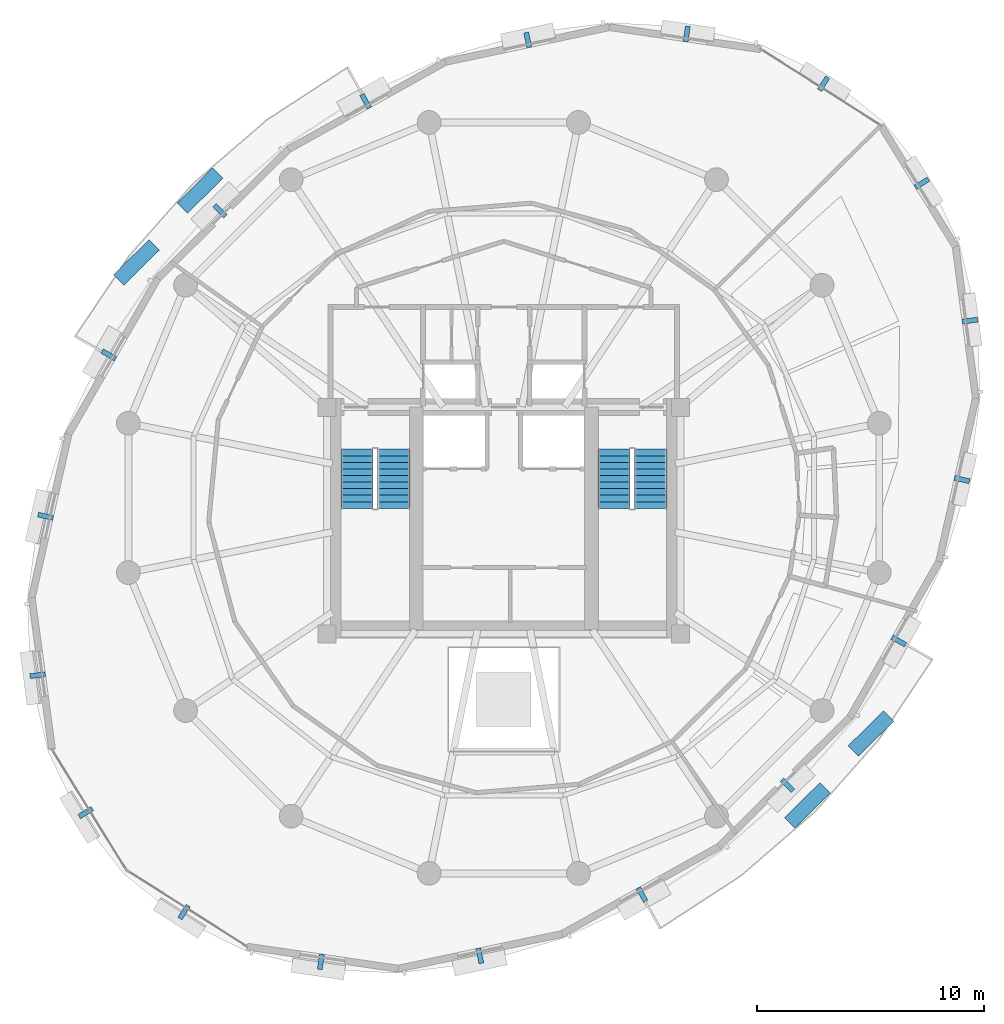
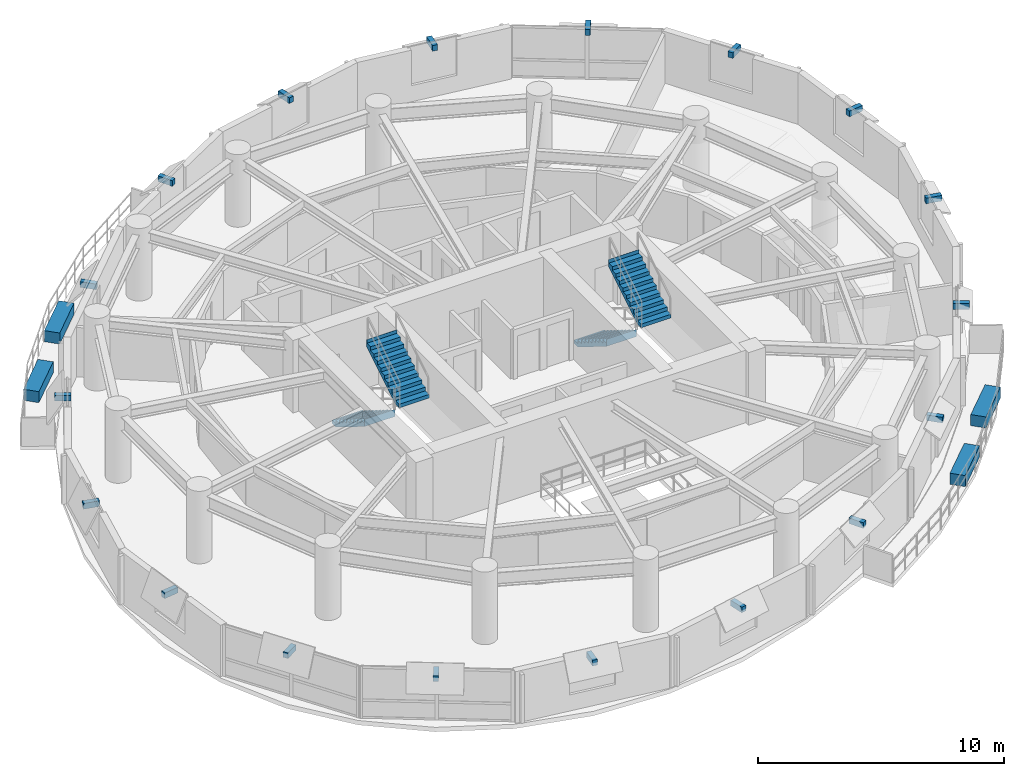
# One storey, part 10 of 12: 22 discrete accessories, 4 stair flights, 2 elements without a shape of their own.
"""IFC4 building model written with IfcOpenShell, lengths in metres."""

from ifc_helpers import new_model, si_unit, direction, frame, origin, origin_2d, place, context, subcontext, project, spatial, polyline, rectangle, outline, extrude, material, type_object, element, aggregate, save


model = new_model("IFC4")

# Units and contexts
model_context = context("Model", 3, precision=1e-05, world=origin(), true_north=direction((0.0, 1.0)))
body_context = subcontext(model_context, "Body", "Model", "MODEL_VIEW")
ifc_project = project(units=[si_unit("LENGTHUNIT", "METRE"), si_unit("AREAUNIT", "SQUARE_METRE"), si_unit("VOLUMEUNIT", "CUBIC_METRE"), si_unit("PLANEANGLEUNIT", "RADIAN"), si_unit("MASSUNIT", "GRAM", prefix="KILO"), si_unit("THERMODYNAMICTEMPERATUREUNIT", "KELVIN"), si_unit("POWERUNIT", "WATT")], contexts=[model_context])

# Site, building, storey
site_placement = place(None, origin())
site = spatial("IfcSite", under=ifc_project, at=site_placement, CompositionType="ELEMENT")
building_placement = place(site_placement, origin())
building = spatial("IfcBuilding", under=site, at=building_placement, Name="Ocrelia Relay Tower", CompositionType="ELEMENT")
storey_placement = place(building_placement, frame((0.0, 0.0, 216.800048828125)))
storey = spatial("IfcBuildingStorey", under=building, at=storey_placement, Name="L53", CompositionType="ELEMENT", Elevation=216.800048828125)

# Stair, stair flights
ifc_material_1 = material(Name="Concrete C50/60", Category="concrete")
stair_type = type_object("IfcStairType", Name="ST-DL-1420-R180", PredefinedType="HALF_TURN_STAIR", material=ifc_material_1)
stair_1_placement = place(storey_placement, origin())
stair_1 = element("IfcStair", 1, at=stair_1_placement, inside=storey, type_object=stair_type, Name="L53 West Core Exit Stair ST1", PredefinedType="HALF_TURN_STAIR")
stair_flight_type = type_object("IfcStairFlightType", Name="STF-DL-1420-R180", PredefinedType="STRAIGHT", material=ifc_material_1)
stair_flight_1_placement = place(storey_placement, frame((27.52001953125, 28.14990234375, 0.0), z_axis=(0.0, 0.0, 1.0), x_axis=(0.0, -1.0, 0.0)))
stair_flight_1 = element("IfcStairFlight", 2, at=stair_flight_1_placement, type_object=stair_flight_type, Name="ST1 flight 1", NumberOfRisers=10, NumberOfTreads=9, PredefinedType="STRAIGHT", RiserHeight=0.18, TreadLength=0.29, context=body_context, shape_type="SweptSolid", body=[
    extrude(outline(polyline([(-0.008056640625, 0.0), (-0.008056640625, 0.179931640625), (0.0, 0.179931640625), (0.2900390625, 0.179931640625), (0.2900390625, 0.360107421875), (0.580078125, 0.360107421875), (0.580078125, 0.5400390625), (0.8701171875, 0.5400390625), (0.8701171875, 0.719970703125), (1.159912109375, 0.719970703125), (1.159912109375, 0.89990234375), (1.449951171875, 0.89990234375), (1.449951171875, 1.080078125), (1.739990234375, 1.080078125), (1.739990234375, 1.260009765625), (2.030029296875, 1.260009765625), (2.030029296875, 1.43994140625), (2.320068359375, 1.43994140625), (2.320068359375, 1.6201171875), (2.610107421875, 1.6201171875), (2.610107421875, 1.800048828125), (2.617919921875, 1.800048828125), (2.617919921875, 1.443603515625), (0.2841796875, 0.0), (-0.008056640625, 0.0)])), frame((0.0, 0.7099609375, 0.0), z_axis=(0.0, -1.0, 0.0), x_axis=(1.0, 0.0, 0.0)), (0.0, 0.0, 1.0), 1.419921875),
])
stair_flight_2_placement = place(storey_placement, frame((29.139892578125, 25.5400390625, 1.800048828125), z_axis=(0.0, 0.0, 1.0), x_axis=(0.0, 1.0, 0.0)))
stair_flight_2 = element("IfcStairFlight", 3, at=stair_flight_2_placement, type_object=stair_flight_type, Name="ST1 flight 2", NumberOfRisers=10, NumberOfTreads=9, PredefinedType="STRAIGHT", RiserHeight=0.18, TreadLength=0.29, context=body_context, shape_type="SweptSolid", body=[
    extrude(outline(polyline([(-0.008056640625, 0.0), (-0.008056640625, 0.179931640625), (0.0, 0.179931640625), (0.2900390625, 0.179931640625), (0.2900390625, 0.360107421875), (0.580078125, 0.360107421875), (0.580078125, 0.5400390625), (0.8701171875, 0.5400390625), (0.8701171875, 0.719970703125), (1.159912109375, 0.719970703125), (1.159912109375, 0.89990234375), (1.449951171875, 0.89990234375), (1.449951171875, 1.080078125), (1.739990234375, 1.080078125), (1.739990234375, 1.260009765625), (2.030029296875, 1.260009765625), (2.030029296875, 1.43994140625), (2.320068359375, 1.43994140625), (2.320068359375, 1.6201171875), (2.610107421875, 1.6201171875), (2.610107421875, 1.800048828125), (2.617919921875, 1.800048828125), (2.617919921875, 1.443603515625), (0.2841796875, 0.0), (-0.008056640625, 0.0)])), frame((0.0, 0.7099609375, 0.0), z_axis=(0.0, -1.0, 0.0), x_axis=(1.0, 0.0, 0.0)), (0.0, 0.0, 1.0), 1.419921875),
])
aggregate(stair_1, [stair_flight_1, stair_flight_2])

stair_2_placement = place(storey_placement, origin())
stair_2 = element("IfcStair", 4, at=stair_2_placement, inside=storey, type_object=stair_type, Name="L53 East Core Exit Stair ST2", PredefinedType="HALF_TURN_STAIR")
stair_flight_3_placement = place(storey_placement, frame((38.8701171875, 28.14990234375, 0.0), z_axis=(0.0, 0.0, 1.0), x_axis=(0.0, -1.0, 0.0)))
stair_flight_3 = element("IfcStairFlight", 5, at=stair_flight_3_placement, type_object=stair_flight_type, Name="ST2 flight 1", NumberOfRisers=10, NumberOfTreads=9, PredefinedType="STRAIGHT", RiserHeight=0.18, TreadLength=0.29, context=body_context, shape_type="SweptSolid", body=[
    extrude(outline(polyline([(-0.008056640625, 0.0), (-0.008056640625, 0.179931640625), (0.0, 0.179931640625), (0.2900390625, 0.179931640625), (0.2900390625, 0.360107421875), (0.580078125, 0.360107421875), (0.580078125, 0.5400390625), (0.8701171875, 0.5400390625), (0.8701171875, 0.719970703125), (1.159912109375, 0.719970703125), (1.159912109375, 0.89990234375), (1.449951171875, 0.89990234375), (1.449951171875, 1.080078125), (1.739990234375, 1.080078125), (1.739990234375, 1.260009765625), (2.030029296875, 1.260009765625), (2.030029296875, 1.43994140625), (2.320068359375, 1.43994140625), (2.320068359375, 1.6201171875), (2.610107421875, 1.6201171875), (2.610107421875, 1.800048828125), (2.617919921875, 1.800048828125), (2.617919921875, 1.443603515625), (0.2841796875, 0.0), (-0.008056640625, 0.0)])), frame((0.0, 0.7099609375, 0.0), z_axis=(0.0, -1.0, 0.0), x_axis=(1.0, 0.0, 0.0)), (0.0, 0.0, 1.0), 1.419921875),
])
stair_flight_4_placement = place(storey_placement, frame((40.489990234375, 25.5400390625, 1.800048828125), z_axis=(0.0, 0.0, 1.0), x_axis=(0.0, 1.0, 0.0)))
stair_flight_4 = element("IfcStairFlight", 6, at=stair_flight_4_placement, type_object=stair_flight_type, Name="ST2 flight 2", NumberOfRisers=10, NumberOfTreads=9, PredefinedType="STRAIGHT", RiserHeight=0.18, TreadLength=0.29, context=body_context, shape_type="SweptSolid", body=[
    extrude(outline(polyline([(-0.008056640625, 0.0), (-0.008056640625, 0.179931640625), (0.0, 0.179931640625), (0.2900390625, 0.179931640625), (0.2900390625, 0.360107421875), (0.580078125, 0.360107421875), (0.580078125, 0.5400390625), (0.8701171875, 0.5400390625), (0.8701171875, 0.719970703125), (1.159912109375, 0.719970703125), (1.159912109375, 0.89990234375), (1.449951171875, 0.89990234375), (1.449951171875, 1.080078125), (1.739990234375, 1.080078125), (1.739990234375, 1.260009765625), (2.030029296875, 1.260009765625), (2.030029296875, 1.43994140625), (2.320068359375, 1.43994140625), (2.320068359375, 1.6201171875), (2.610107421875, 1.6201171875), (2.610107421875, 1.800048828125), (2.617919921875, 1.800048828125), (2.617919921875, 1.443603515625), (0.2841796875, 0.0), (-0.008056640625, 0.0)])), frame((0.0, 0.7099609375, 0.0), z_axis=(0.0, -1.0, 0.0), x_axis=(1.0, 0.0, 0.0)), (0.0, 0.0, 1.0), 1.419921875),
])
aggregate(stair_2, [stair_flight_3, stair_flight_4])

# Discrete accessories
ifc_material_2 = material(Name="Precast concrete C40/50 planter with highland greenery", Category="concrete")
discrete_accessory_type_1 = type_object("IfcDiscreteAccessoryType", Name="ACC-BALC-PLANTER", PredefinedType="USERDEFINED", material=ifc_material_2)
for number, where, z_axis, x_axis, name in (
    (7, (20.593017578125, 39.572021484375, 0.0), (0.0, 0.0, 1.0), (0.711418109925, 0.70276900392, 0.0), "L53 Balcony Terracotta Planter with Greenery B1"),
    (8, (17.783447265625, 36.397705078125, 0.0), (0.0, 0.0, 1.0), (0.711418109925, 0.70276900392, 0.0), "L53 Balcony Terracotta Planter B1-2"),
    (9, (47.406982421875, 12.427978515625, 0.0), (0.0, 0.0, 1.0), (-0.711418109925, -0.70276900392, 0.0), "L53 Balcony Terracotta Planter with Greenery B2"),
    (10, (50.216552734375, 15.602294921875, 0.0), (0.0, 0.0, 1.0), (-0.711418109925, -0.70276900392, 0.0), "L53 Balcony Terracotta Planter B2-2"),
):
    element("IfcDiscreteAccessory", number, at=place(storey_placement, frame(where, z_axis=z_axis, x_axis=x_axis)), inside=storey, type_object=discrete_accessory_type_1, Name=name, ObjectType="PLANTER", PredefinedType="USERDEFINED", context=body_context, shape_type="SweptSolid", body=[
        extrude(rectangle(XDim=2.199951171875, YDim=0.64990234375, at=origin_2d()), origin(), (0.0, 0.0, 1.0), 0.550048828125),
    ])
ifc_material_3 = material(Name="Steel S355", Category="steel")
discrete_accessory_type_2 = type_object("IfcDiscreteAccessoryType", Name="ACC-VISOR-BRACKET", PredefinedType="BRACKET", material=ifc_material_3)
for number, where, z_axis, x_axis, name in (
    (11, (48.1162109375, 44.28515625, 2.259765625), (0.0, 0.0, 1.0), (-0.844609167729, 0.535383370855, 0.0), "L53 Visor Mounting Bracket 01"),
    (12, (42.076904296875, 46.48193359375, 2.259765625), (0.0, 0.0, 1.0), (-0.989510431186, 0.144461436284, 0.0), "L53 Visor Mounting Bracket 02"),
    (13, (35.05810546875, 46.216552734375, 2.259765625), (0.0, 0.0, 1.0), (-0.978312051841, -0.207136499013, 0.0), "L53 Visor Mounting Bracket 03"),
    (14, (27.89990234375, 43.512451171875, 2.259765625), (0.0, 0.0, 1.0), (-0.873842907612, -0.48620836358, 0.0), "L53 Visor Mounting Bracket 04"),
    (15, (21.470947265625, 38.68310546875, 2.259765625), (0.0, 0.0, 1.0), (-0.711412639885, -0.702774541238, 0.0), "L53 Visor Mounting Bracket 05"),
    (16, (16.5634765625, 32.313720703125, 2.259765625), (0.0, 0.0, 1.0), (-0.496843859187, -0.867839950445, 0.0), "L53 Visor Mounting Bracket 06"),
    (17, (13.772216796875, 25.188720703125, 2.259765625), (0.0, 0.0, 1.0), (-0.219071172147, -0.975708881549, 0.0), "L53 Visor Mounting Bracket 07"),
    (18, (13.421142578125, 18.174072265625, 2.259765625), (0.0, 0.0, 1.0), (0.13236376712, -0.9912012072, 0.0), "L53 Visor Mounting Bracket 08"),
    (19, (15.5439453125, 12.1083984375, 2.259765625), (0.0, 0.0, 1.0), (0.525018043545, -0.851091096154, 0.0), "L53 Visor Mounting Bracket 09"),
    (20, (19.8837890625, 7.71484375, 2.259765625), (0.0, 0.0, 1.0), (0.844609167729, -0.535383370855, 0.0), "L53 Visor Mounting Bracket 10"),
    (21, (25.923095703125, 5.51806640625, 2.259765625), (0.0, 0.0, 1.0), (0.989510431186, -0.144461436284, 0.0), "L53 Visor Mounting Bracket 11"),
    (22, (32.94189453125, 5.783447265625, 2.259765625), (0.0, 0.0, 1.0), (0.978312051841, 0.207136499013, 0.0), "L53 Visor Mounting Bracket 12"),
    (23, (40.10009765625, 8.487548828125, 2.259765625), (0.0, 0.0, 1.0), (0.873842907612, 0.48620836358, 0.0), "L53 Visor Mounting Bracket 13"),
    (24, (46.529052734375, 13.31689453125, 2.259765625), (0.0, 0.0, 1.0), (0.711412639885, 0.702774541238, 0.0), "L53 Visor Mounting Bracket 14"),
    (25, (51.4365234375, 19.686279296875, 2.259765625), (0.0, 0.0, 1.0), (0.496843859187, 0.867839950445, 0.0), "L53 Visor Mounting Bracket 15"),
    (26, (54.227783203125, 26.811279296875, 2.259765625), (0.0, 0.0, 1.0), (0.219071172147, 0.975708881549, 0.0), "L53 Visor Mounting Bracket 16"),
    (27, (54.578857421875, 33.825927734375, 2.259765625), (0.0, 0.0, 1.0), (-0.13236376712, 0.9912012072, 0.0), "L53 Visor Mounting Bracket 17"),
    (28, (52.4560546875, 39.8916015625, 2.259765625), (0.0, 0.0, 1.0), (-0.525018043545, 0.851091096154, 0.0), "L53 Visor Mounting Bracket 18"),
):
    element("IfcDiscreteAccessory", number, at=place(storey_placement, frame(where, z_axis=z_axis, x_axis=x_axis)), inside=storey, type_object=discrete_accessory_type_2, Name=name, PredefinedType="BRACKET", context=body_context, shape_type="SweptSolid", body=[
        extrude(rectangle(XDim=0.219970703125, YDim=0.679931640625, at=origin_2d()), origin(), (0.0, 0.0, 1.0), 0.280029296875),
    ])

save(model, "model.ifc")
